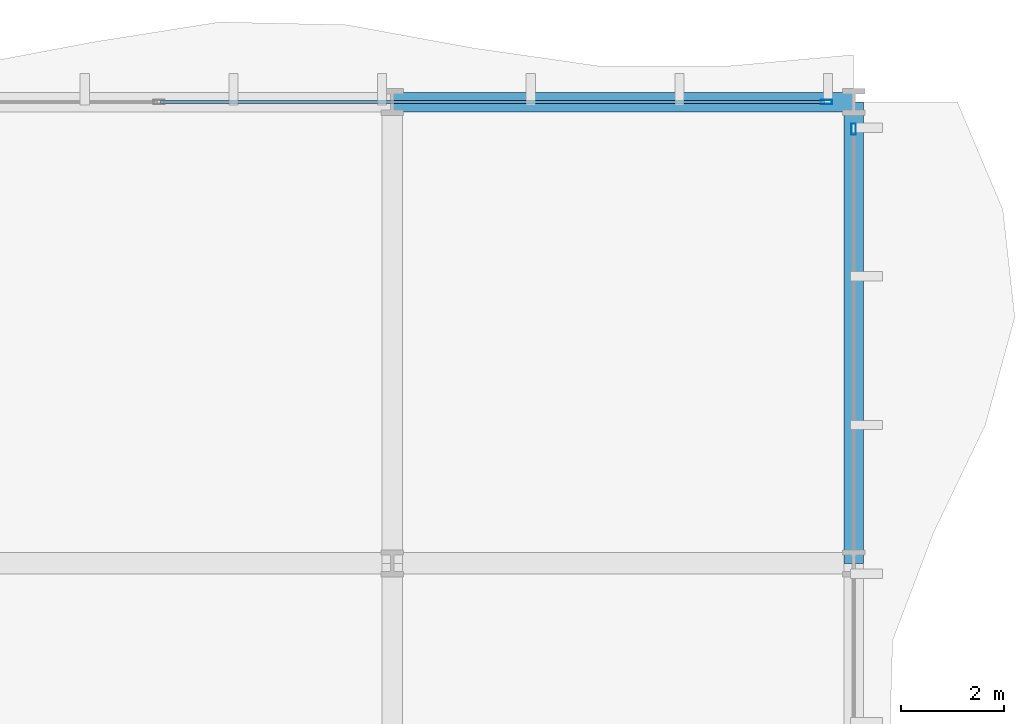
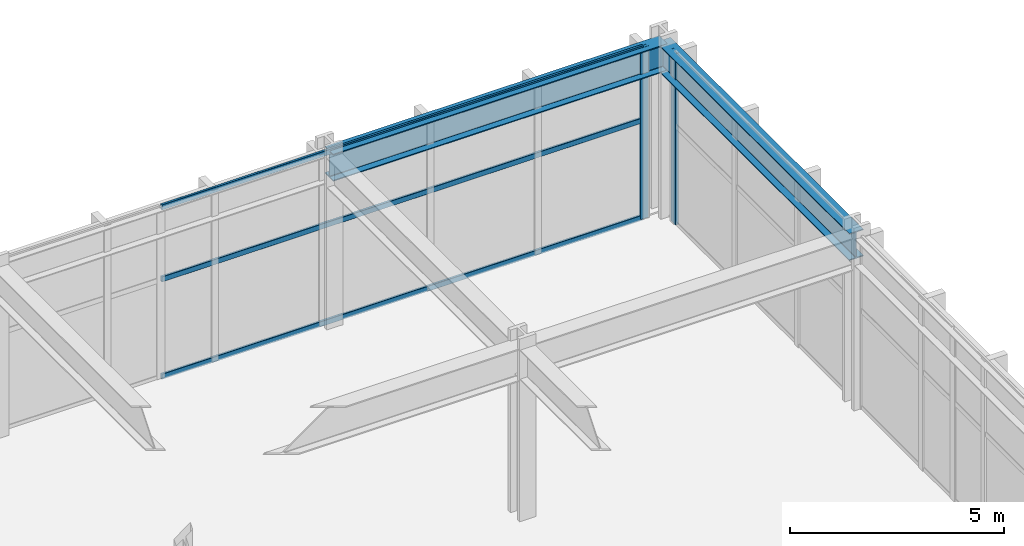
# One storey, part 21 of 31: 5 members, 2 beams, 2 elements without a shape of their own.
"""IFC4 building model written with IfcOpenShell, lengths in metres."""

from ifc_helpers import new_model, si_unit, direction, frame, origin, origin_2d, place, context, subcontext, project, spatial, hollow_rectangle, i_section, extrude, material, layer, layer_set, material_profile, profile_set, type_object, element, aggregate, save


model = new_model("IFC4")

# Units and contexts
model_context = context("Model", 3, precision=1e-05, world=origin(), true_north=direction((0.0, 1.0)))
body_context = subcontext(model_context, "Body", "Model", "MODEL_VIEW")
ifc_project = project(units=[si_unit("LENGTHUNIT", "METRE"), si_unit("AREAUNIT", "SQUARE_METRE"), si_unit("VOLUMEUNIT", "CUBIC_METRE"), si_unit("PLANEANGLEUNIT", "RADIAN"), si_unit("MASSUNIT", "GRAM", prefix="KILO")], contexts=[model_context])

# Site, building, storey
site_placement = place(None, origin())
site = spatial("IfcSite", under=ifc_project, at=site_placement, CompositionType="ELEMENT")
building_placement = place(site_placement, origin())
building = spatial("IfcBuilding", under=site, at=building_placement, Name="Solvaryn Broadcast Tower", CompositionType="ELEMENT")
storey_placement = place(building_placement, frame((0.0, 0.0, 11.0)))
storey = spatial("IfcBuildingStorey", under=building, at=storey_placement, Name="L02", CompositionType="ELEMENT", Elevation=11.0)

# Beams
ifc_material_1 = material(Name="Steel ASTM A992 Grade 50", Category="steel")
ifc_material_profile_1 = material_profile(ifc_material_1, i_section(OverallWidth=0.381103515625, OverallDepth=0.77294921875, WebThickness=0.0166015625, FlangeThickness=0.027099609375, FilletRadius=0.01806640625, at=origin_2d()))
ifc_profile_set_1 = profile_set([ifc_material_profile_1], Name="Steel ASTM A992 Grade 50")
beam_type = type_object("IfcBeamType", Name="BM-SP1-W30X173", PredefinedType="USERDEFINED", material=ifc_profile_set_1)
for number, where, z_axis, x_axis, name in (
    (1, (54.0, 54.0, 4.493408203125), (1.0, 0.0, 0.0), (0.0, 1.0, 0.0), "L02 Spandrel Beam X (54-63 @ Y=54)"),
    (2, (63.0, 45.0, 4.493408203125), (0.0, 1.0, 0.0), (-1.0, 0.0, 0.0), "L02 Spandrel Beam Y (45-54 @ X=63)"),
):
    element("IfcBeam", number, at=place(storey_placement, frame(where, z_axis=z_axis, x_axis=x_axis)), inside=storey, type_object=beam_type, Name=name, ObjectType="SPANDREL", PredefinedType="USERDEFINED", context=body_context, shape_type="SweptSolid", body=[
        extrude(i_section(OverallWidth=0.381103515625, OverallDepth=0.77294921875, WebThickness=0.0166015625, FlangeThickness=0.027099609375, FilletRadius=0.01806640625, at=origin_2d()), origin(), (0.0, 0.0, 1.0), 9.0),
    ])

# Curtain wall, member
ifc_material_2 = material(Name="Aluminium and Terracotta Unitised Curtain Wall", Category="masonry")
ifc_layer = layer(ifc_material_2, 0.219970703125)
ifc_layer_set = layer_set([ifc_layer], Name="CW-SYS1-PODIUM")
curtain_wall_type = type_object("IfcCurtainWallType", Name="CW-SYS1-PODIUM", PredefinedType="NOTDEFINED", material=ifc_layer_set)
curtain_wall_1_placement = place(storey_placement, origin())
curtain_wall_1 = element("IfcCurtainWall", 3, at=curtain_wall_1_placement, inside=storey, type_object=curtain_wall_type, Name="L02 Podium Curtain Wall N2", PredefinedType="NOTDEFINED")
ifc_material_3 = material(Name="Anodised Aluminium 6063-T6", Category="aluminium")
ifc_material_profile_2 = material_profile(ifc_material_3, hollow_rectangle(XDim=0.0849609375, YDim=0.219970703125, WallThickness=0.0048828125, InnerFilletRadius=0.0048828125, OuterFilletRadius=0.010009765625, at=origin_2d()))
ifc_profile_set_2 = profile_set([ifc_material_profile_2], Name="Anodised Aluminium 6063-T6")
member_type_1 = type_object("IfcMemberType", Name="CW-MUL-220", PredefinedType="MULLION", material=ifc_profile_set_2)
member_1_placement = place(storey_placement, frame((62.469970703125, 54.0, 0.0), z_axis=(0.0, 0.0, 1.0), x_axis=(0.0, 1.0, 0.0)))
member_1 = element("IfcMember", 4, at=member_1_placement, type_object=member_type_1, Name="CWS1 mullion 3", PredefinedType="MULLION", context=body_context, shape_type="SweptSolid", body=[
    extrude(hollow_rectangle(XDim=0.0849609375, YDim=0.219970703125, WallThickness=0.0048828125, InnerFilletRadius=0.0048828125, OuterFilletRadius=0.010009765625, at=origin_2d()), origin(), (0.0, 0.0, 1.0), 4.8798828125),
])

curtain_wall_2_placement = place(storey_placement, origin())
curtain_wall_2 = element("IfcCurtainWall", 5, at=curtain_wall_2_placement, inside=storey, type_object=curtain_wall_type, Name="L02 Podium Curtain Wall E1", PredefinedType="NOTDEFINED")
member_2_placement = place(storey_placement, frame((63.0, 53.469970703125, 0.0), z_axis=(0.0, 0.0, 1.0), x_axis=(1.0, 0.0, 0.0)))
member_2 = element("IfcMember", 6, at=member_2_placement, type_object=member_type_1, Name="CWS1 mullion 1", PredefinedType="MULLION", context=body_context, shape_type="SweptSolid", body=[
    extrude(hollow_rectangle(XDim=0.0849609375, YDim=0.219970703125, WallThickness=0.0048828125, InnerFilletRadius=0.0048828125, OuterFilletRadius=0.010009765625, at=origin_2d()), origin(), (0.0, 0.0, 1.0), 4.8798828125),
])
aggregate(curtain_wall_2, [member_2])

# Member
ifc_material_4 = material(Name="Anodised Aluminium 6063-T6", Category="aluminium")
ifc_material_profile_3 = material_profile(ifc_material_4, hollow_rectangle(XDim=0.06494140625, YDim=0.14990234375, WallThickness=0.00390625, InnerFilletRadius=0.00390625, OuterFilletRadius=0.008056640625, at=origin_2d()))
ifc_profile_set_3 = profile_set([ifc_material_profile_3], Name="Anodised Aluminium 6063-T6")
member_type_2 = type_object("IfcMemberType", Name="CW-TRN-150", PredefinedType="USERDEFINED", material=ifc_profile_set_3)
member_3_placement = place(storey_placement, frame((49.47998046875, 54.0, 0.030029296875), z_axis=(1.0, 0.0, 0.0), x_axis=(0.0, 1.0, 0.0)))
member_3 = element("IfcMember", 7, at=member_3_placement, type_object=member_type_2, Name="CWS1 transom 2.1", ObjectType="TRANSOM", PredefinedType="USERDEFINED", context=body_context, shape_type="SweptSolid", body=[
    extrude(hollow_rectangle(XDim=0.06494140625, YDim=0.14990234375, WallThickness=0.00390625, InnerFilletRadius=0.00390625, OuterFilletRadius=0.008056640625, at=origin_2d()), origin(), (0.0, 0.0, 1.0), 12.9599609375),
])

member_4_placement = place(storey_placement, frame((49.47998046875, 54.0, 2.800048828125), z_axis=(1.0, 0.0, 0.0), x_axis=(0.0, 1.0, 0.0)))
member_4 = element("IfcMember", 8, at=member_4_placement, type_object=member_type_2, Name="CWS1 transom 2.2", ObjectType="TRANSOM", PredefinedType="USERDEFINED", context=body_context, shape_type="SweptSolid", body=[
    extrude(hollow_rectangle(XDim=0.06494140625, YDim=0.14990234375, WallThickness=0.00390625, InnerFilletRadius=0.00390625, OuterFilletRadius=0.008056640625, at=origin_2d()), origin(), (0.0, 0.0, 1.0), 12.9599609375),
])

member_5_placement = place(storey_placement, frame((49.47998046875, 54.0, 4.85009765625), z_axis=(1.0, 0.0, 0.0), x_axis=(0.0, 1.0, 0.0)))
member_5 = element("IfcMember", 9, at=member_5_placement, type_object=member_type_2, Name="CWS1 transom 2.3", ObjectType="TRANSOM", PredefinedType="USERDEFINED", context=body_context, shape_type="SweptSolid", body=[
    extrude(hollow_rectangle(XDim=0.06494140625, YDim=0.14990234375, WallThickness=0.00390625, InnerFilletRadius=0.00390625, OuterFilletRadius=0.008056640625, at=origin_2d()), origin(), (0.0, 0.0, 1.0), 12.9599609375),
])

aggregate(curtain_wall_1, [member_1, member_3, member_4, member_5])

save(model, "model.ifc")
